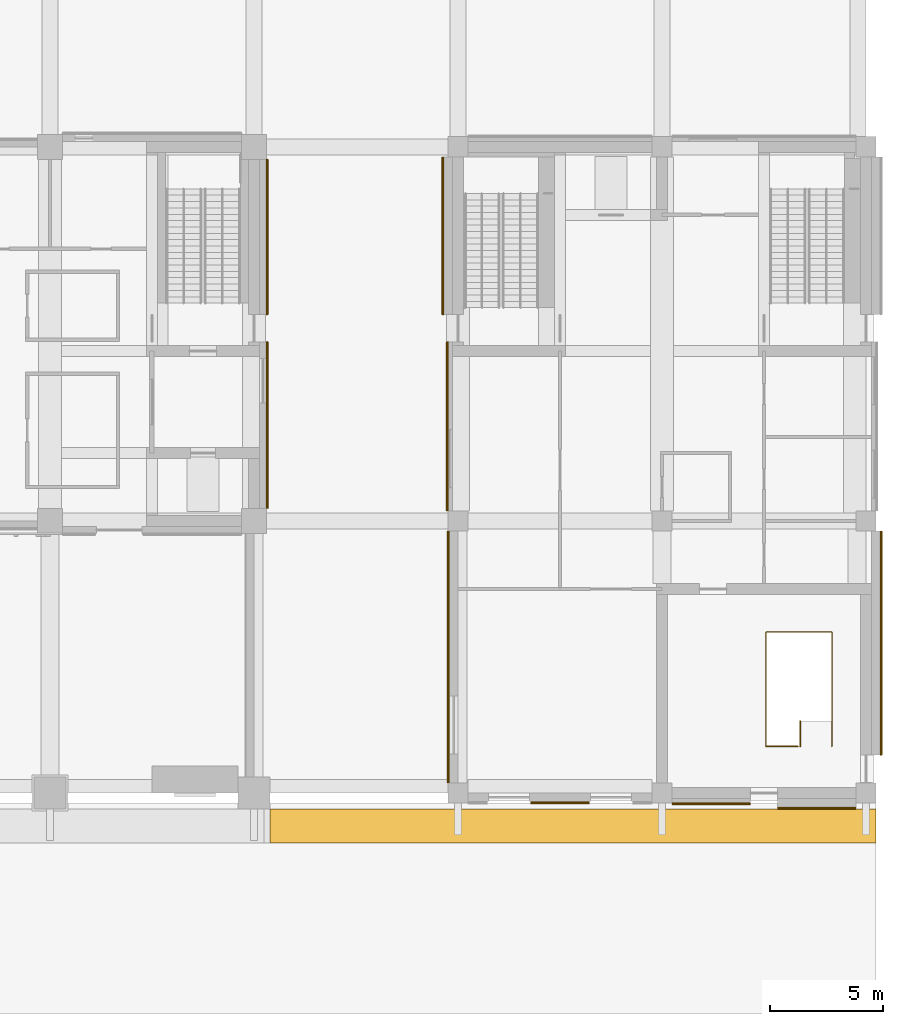
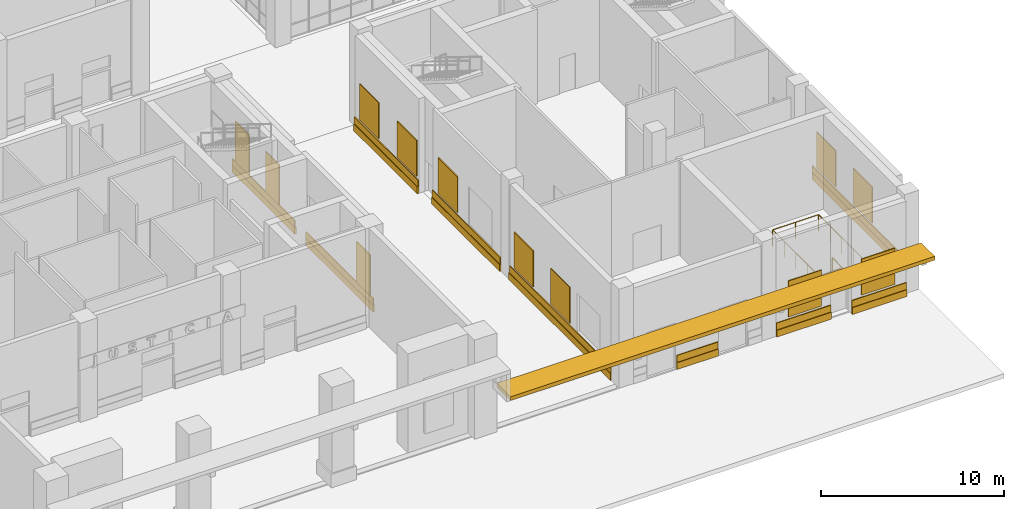
# One storey, part 26 of 35: 30 coverings, 3 railings, 1 shading device.
"""IFC4 building model written with IfcOpenShell, lengths in metres."""

from ifc_helpers import new_model, si_unit, direction, frame, origin, origin_2d, place, context, subcontext, project, spatial, polyline, rectangle, circle, outline, extrude, material, layer, layer_set, type_object, element, save


model = new_model("IFC4")

# Units and contexts
model_context = context("Model", 3, precision=1e-05, world=origin(), true_north=direction((0.0, 1.0)))
body_context = subcontext(model_context, "Body", "Model", "MODEL_VIEW")
ifc_project = project(units=[si_unit("LENGTHUNIT", "METRE"), si_unit("AREAUNIT", "SQUARE_METRE"), si_unit("VOLUMEUNIT", "CUBIC_METRE"), si_unit("PLANEANGLEUNIT", "RADIAN"), si_unit("MASSUNIT", "GRAM", prefix="KILO")], contexts=[model_context])

# Site, building, storey
site_placement = place(None, origin())
site = spatial("IfcSite", under=ifc_project, at=site_placement, CompositionType="ELEMENT")
building_placement = place(site_placement, origin())
building = spatial("IfcBuilding", under=site, at=building_placement, Name="Aurelan Courthouse", CompositionType="ELEMENT")
storey_placement = place(building_placement, origin())
storey = spatial("IfcBuildingStorey", under=building, at=storey_placement, Name="L00", CompositionType="ELEMENT", Elevation=0.0)

# Coverings
ifc_material_1 = material(Name="Bronze sheet cladding")
ifc_layer_1 = layer(ifc_material_1, 0.06005859375)
ifc_layer_set_1 = layer_set([ifc_layer_1], Name="Bronze sheet cladding")
covering_type_1 = type_object("IfcCoveringType", Name="Ceremonial Court blind bay 1500 x 2700", PredefinedType="CLADDING", material=ifc_layer_set_1)
for number, where, z_axis, x_axis, name in (
    (1, (63.580078125, 13.64990234375, 0.89990234375), (0.0, 0.0, 1.0), (1.0, 0.0, 0.0), "Blind bay BB-V1-L00-005"),
    (2, (63.580078125, 23.550048828125, 0.89990234375), (0.0, 0.0, 1.0), (1.0, 0.0, 0.0), "Blind bay BB-V1-L00-006"),
    (3, (63.580078125, 26.85009765625, 0.89990234375), (0.0, 0.0, 1.0), (1.0, 0.0, 0.0), "Blind bay BB-V1-L00-007"),
):
    element("IfcCovering", number, at=place(storey_placement, frame(where, z_axis=z_axis, x_axis=x_axis)), inside=storey, type_object=covering_type_1, Name=name, PredefinedType="CLADDING", context=body_context, shape_type="SweptSolid", body=[
        extrude(rectangle(XDim=0.06005859375, YDim=1.5, at=origin_2d()), origin(), (0.0, 0.0, 1.0), 2.699951171875),
    ])
ifc_material_2 = material(Name="Granite cladding", Category="masonry")
covering_type_2 = type_object("IfcCoveringType", Name="Ceremonial Court rusticated plinth course 450 x 100", PredefinedType="CLADDING", material=ifc_material_2)
covering_1_placement = place(storey_placement, frame((63.60009765625, 16.22509765625, 0.0), z_axis=(0.0, 0.0, 1.0), x_axis=(1.0, 0.0, 0.0)))
element("IfcCovering", 4, at=covering_1_placement, inside=storey, type_object=covering_type_2, Name="Plinth course PLC-V1-015", PredefinedType="CLADDING", context=body_context, shape_type="SweptSolid", body=[
    extrude(rectangle(XDim=0.10009765625, YDim=7.35009765625, at=origin_2d()), origin(), (0.0, 0.0, 1.0), 0.449951171875),
])
covering_2_placement = place(storey_placement, frame((63.580078125, 16.22509765625, 0.4501953125), z_axis=(0.0, 0.0, 1.0), x_axis=(1.0, 0.0, 0.0)))
element("IfcCovering", 5, at=covering_2_placement, inside=storey, type_object=covering_type_2, Name="Plinth course PLC-V1-016", PredefinedType="CLADDING", context=body_context, shape_type="SweptSolid", body=[
    extrude(rectangle(XDim=0.06005859375, YDim=7.35009765625, at=origin_2d()), origin(), (0.0, 0.0, 1.0), 0.449951171875),
])
covering_3_placement = place(storey_placement, frame((63.60009765625, 24.52490234375, 0.0), z_axis=(0.0, 0.0, 1.0), x_axis=(1.0, 0.0, 0.0)))
element("IfcCovering", 6, at=covering_3_placement, inside=storey, type_object=covering_type_2, Name="Plinth course PLC-V1-019", PredefinedType="CLADDING", context=body_context, shape_type="SweptSolid", body=[
    extrude(rectangle(XDim=0.10009765625, YDim=6.85009765625, at=origin_2d()), origin(), (0.0, 0.0, 1.0), 0.449951171875),
])
covering_4_placement = place(storey_placement, frame((63.580078125, 24.52490234375, 0.4501953125), z_axis=(0.0, 0.0, 1.0), x_axis=(1.0, 0.0, 0.0)))
element("IfcCovering", 7, at=covering_4_placement, inside=storey, type_object=covering_type_2, Name="Plinth course PLC-V1-020", PredefinedType="CLADDING", context=body_context, shape_type="SweptSolid", body=[
    extrude(rectangle(XDim=0.06005859375, YDim=6.85009765625, at=origin_2d()), origin(), (0.0, 0.0, 1.0), 0.449951171875),
])
ifc_layer_2 = layer(ifc_material_1, 0.06005859375)
ifc_layer_set_2 = layer_set([ifc_layer_2], Name="Bronze sheet cladding")
covering_type_3 = type_object("IfcCoveringType", Name="Public Hall and Registry blind bay 2100 x 2400", PredefinedType="CLADDING", material=ifc_layer_set_2)
for number, where, z_axis, x_axis, name in (
    (8, (83.25, -0.4599609375, 1.050048828125), (0.0, 0.0, 1.0), (1.0, 0.0, 0.0), "Blind bay BB-V4-L00-001"),
    (9, (87.75, -0.659912109375, 1.050048828125), (0.0, 0.0, 1.0), (1.0, 0.0, 0.0), "Blind bay BB-V4-L00-002"),
):
    element("IfcCovering", number, at=place(storey_placement, frame(where, z_axis=z_axis, x_axis=x_axis)), inside=storey, type_object=covering_type_3, Name=name, PredefinedType="CLADDING", context=body_context, shape_type="SweptSolid", body=[
        extrude(rectangle(XDim=2.10009765625, YDim=0.06005859375, at=origin_2d()), origin(), (0.0, 0.0, 1.0), 2.39990234375),
    ])
for number, where, z_axis, x_axis, name in (
    (10, (90.659912109375, 6.0, 1.050048828125), (0.0, 0.0, 1.0), (1.0, 0.0, 0.0), "Blind bay BB-V4-L00-006"),
    (11, (90.659912109375, 10.0, 1.050048828125), (0.0, 0.0, 1.0), (1.0, 0.0, 0.0), "Blind bay BB-V4-L00-007"),
    (12, (71.590087890625, 6.0, 1.050048828125), (0.0, 0.0, 1.0), (1.0, 0.0, 0.0), "Blind bay BB-V4-L00-010"),
    (13, (71.590087890625, 10.0, 1.050048828125), (0.0, 0.0, 1.0), (1.0, 0.0, 0.0), "Blind bay BB-V4-L00-011"),
    (14, (71.5400390625, 18.1875, 1.050048828125), (0.0, 0.0, 1.0), (1.0, 0.0, 0.0), "Blind bay BB-V4-L00-012"),
    (15, (71.340087890625, 22.3125, 1.050048828125), (0.0, 0.0, 1.0), (1.0, 0.0, 0.0), "Blind bay BB-V4-L00-013"),
    (16, (71.340087890625, 26.4375, 1.050048828125), (0.0, 0.0, 1.0), (1.0, 0.0, 0.0), "Blind bay BB-V4-L00-014"),
):
    element("IfcCovering", number, at=place(storey_placement, frame(where, z_axis=z_axis, x_axis=x_axis)), inside=storey, type_object=covering_type_3, Name=name, PredefinedType="CLADDING", context=body_context, shape_type="SweptSolid", body=[
        extrude(rectangle(XDim=0.06005859375, YDim=2.10009765625, at=origin_2d()), origin(), (0.0, 0.0, 1.0), 2.39990234375),
    ])
covering_type_4 = type_object("IfcCoveringType", Name="Public Hall and Registry rusticated plinth course 450 x 100", PredefinedType="CLADDING", material=ifc_material_2)
covering_5_placement = place(storey_placement, frame((87.824951171875, -0.679931640625, 0.0), z_axis=(0.0, 0.0, 1.0), x_axis=(1.0, 0.0, 0.0)))
element("IfcCovering", 17, at=covering_5_placement, inside=storey, type_object=covering_type_4, Name="Plinth course PLC-V4-001", PredefinedType="CLADDING", context=body_context, shape_type="SweptSolid", body=[
    extrude(rectangle(XDim=3.449951171875, YDim=0.10009765625, at=origin_2d()), origin(), (0.0, 0.0, 1.0), 0.449951171875),
])
covering_6_placement = place(storey_placement, frame((87.824951171875, -0.659912109375, 0.4501953125), z_axis=(0.0, 0.0, 1.0), x_axis=(1.0, 0.0, 0.0)))
element("IfcCovering", 18, at=covering_6_placement, inside=storey, type_object=covering_type_4, Name="Plinth course PLC-V4-002", PredefinedType="CLADDING", context=body_context, shape_type="SweptSolid", body=[
    extrude(rectangle(XDim=3.449951171875, YDim=0.06005859375, at=origin_2d()), origin(), (0.0, 0.0, 1.0), 0.449951171875),
])
covering_7_placement = place(storey_placement, frame((83.175048828125, -0.47998046875, 0.0), z_axis=(0.0, 0.0, 1.0), x_axis=(1.0, 0.0, 0.0)))
element("IfcCovering", 19, at=covering_7_placement, inside=storey, type_object=covering_type_4, Name="Plinth course PLC-V4-003", PredefinedType="CLADDING", context=body_context, shape_type="SweptSolid", body=[
    extrude(rectangle(XDim=3.449951171875, YDim=0.10009765625, at=origin_2d()), origin(), (0.0, 0.0, 1.0), 0.449951171875),
])
covering_8_placement = place(storey_placement, frame((83.175048828125, -0.4599609375, 0.4501953125), z_axis=(0.0, 0.0, 1.0), x_axis=(1.0, 0.0, 0.0)))
element("IfcCovering", 20, at=covering_8_placement, inside=storey, type_object=covering_type_4, Name="Plinth course PLC-V4-004", PredefinedType="CLADDING", context=body_context, shape_type="SweptSolid", body=[
    extrude(rectangle(XDim=3.449951171875, YDim=0.06005859375, at=origin_2d()), origin(), (0.0, 0.0, 1.0), 0.449951171875),
])
covering_9_placement = place(storey_placement, frame((76.5, -0.429931640625, 0.0), z_axis=(0.0, 0.0, 1.0), x_axis=(1.0, 0.0, 0.0)))
element("IfcCovering", 21, at=covering_9_placement, inside=storey, type_object=covering_type_4, Name="Plinth course PLC-V4-006", PredefinedType="CLADDING", context=body_context, shape_type="SweptSolid", body=[
    extrude(rectangle(XDim=2.60009765625, YDim=0.10009765625, at=origin_2d()), origin(), (0.0, 0.0, 1.0), 0.449951171875),
])
covering_10_placement = place(storey_placement, frame((76.5, -0.409912109375, 0.4501953125), z_axis=(0.0, 0.0, 1.0), x_axis=(1.0, 0.0, 0.0)))
element("IfcCovering", 22, at=covering_10_placement, inside=storey, type_object=covering_type_4, Name="Plinth course PLC-V4-009", PredefinedType="CLADDING", context=body_context, shape_type="SweptSolid", body=[
    extrude(rectangle(XDim=2.60009765625, YDim=0.06005859375, at=origin_2d()), origin(), (0.0, 0.0, 1.0), 0.449951171875),
])
covering_11_placement = place(storey_placement, frame((71.570068359375, 6.0, 0.0), z_axis=(0.0, 0.0, 1.0), x_axis=(1.0, 0.0, 0.0)))
element("IfcCovering", 23, at=covering_11_placement, inside=storey, type_object=covering_type_4, Name="Plinth course PLC-V4-011", PredefinedType="CLADDING", context=body_context, shape_type="SweptSolid", body=[
    extrude(rectangle(XDim=0.10009765625, YDim=11.10009765625, at=origin_2d()), origin(), (0.0, 0.0, 1.0), 0.449951171875),
])
covering_12_placement = place(storey_placement, frame((71.590087890625, 6.0, 0.4501953125), z_axis=(0.0, 0.0, 1.0), x_axis=(1.0, 0.0, 0.0)))
element("IfcCovering", 24, at=covering_12_placement, inside=storey, type_object=covering_type_4, Name="Plinth course PLC-V4-012", PredefinedType="CLADDING", context=body_context, shape_type="SweptSolid", body=[
    extrude(rectangle(XDim=0.06005859375, YDim=11.10009765625, at=origin_2d()), origin(), (0.0, 0.0, 1.0), 0.449951171875),
])
covering_13_placement = place(storey_placement, frame((90.679931640625, 6.610107421875, 0.0), z_axis=(0.0, 0.0, 1.0), x_axis=(1.0, 0.0, 0.0)))
element("IfcCovering", 25, at=covering_13_placement, inside=storey, type_object=covering_type_4, Name="Plinth course PLC-V4-013", PredefinedType="CLADDING", context=body_context, shape_type="SweptSolid", body=[
    extrude(rectangle(XDim=0.10009765625, YDim=9.8798828125, at=origin_2d()), origin(), (0.0, 0.0, 1.0), 0.449951171875),
])
covering_14_placement = place(storey_placement, frame((90.659912109375, 6.610107421875, 0.4501953125), z_axis=(0.0, 0.0, 1.0), x_axis=(1.0, 0.0, 0.0)))
element("IfcCovering", 26, at=covering_14_placement, inside=storey, type_object=covering_type_4, Name="Plinth course PLC-V4-014", PredefinedType="CLADDING", context=body_context, shape_type="SweptSolid", body=[
    extrude(rectangle(XDim=0.06005859375, YDim=9.8798828125, at=origin_2d()), origin(), (0.0, 0.0, 1.0), 0.449951171875),
])
covering_15_placement = place(storey_placement, frame((71.52001953125, 16.175048828125, 0.0), z_axis=(0.0, 0.0, 1.0), x_axis=(1.0, 0.0, 0.0)))
element("IfcCovering", 27, at=covering_15_placement, inside=storey, type_object=covering_type_4, Name="Plinth course PLC-V4-015", PredefinedType="CLADDING", context=body_context, shape_type="SweptSolid", body=[
    extrude(rectangle(XDim=0.10009765625, YDim=7.449951171875, at=origin_2d()), origin(), (0.0, 0.0, 1.0), 0.449951171875),
])
covering_16_placement = place(storey_placement, frame((71.5400390625, 16.175048828125, 0.4501953125), z_axis=(0.0, 0.0, 1.0), x_axis=(1.0, 0.0, 0.0)))
element("IfcCovering", 28, at=covering_16_placement, inside=storey, type_object=covering_type_4, Name="Plinth course PLC-V4-016", PredefinedType="CLADDING", context=body_context, shape_type="SweptSolid", body=[
    extrude(rectangle(XDim=0.06005859375, YDim=7.449951171875, at=origin_2d()), origin(), (0.0, 0.0, 1.0), 0.449951171875),
])
covering_17_placement = place(storey_placement, frame((71.320068359375, 24.574951171875, 0.0), z_axis=(0.0, 0.0, 1.0), x_axis=(1.0, 0.0, 0.0)))
element("IfcCovering", 29, at=covering_17_placement, inside=storey, type_object=covering_type_4, Name="Plinth course PLC-V4-019", PredefinedType="CLADDING", context=body_context, shape_type="SweptSolid", body=[
    extrude(rectangle(XDim=0.10009765625, YDim=6.949951171875, at=origin_2d()), origin(), (0.0, 0.0, 1.0), 0.449951171875),
])
covering_18_placement = place(storey_placement, frame((71.340087890625, 24.574951171875, 0.4501953125), z_axis=(0.0, 0.0, 1.0), x_axis=(1.0, 0.0, 0.0)))
element("IfcCovering", 30, at=covering_18_placement, inside=storey, type_object=covering_type_4, Name="Plinth course PLC-V4-020", PredefinedType="CLADDING", context=body_context, shape_type="SweptSolid", body=[
    extrude(rectangle(XDim=0.06005859375, YDim=6.949951171875, at=origin_2d()), origin(), (0.0, 0.0, 1.0), 0.449951171875),
])

# Railings
ifc_material_3 = material(Name="Steel S355", Category="steel")
railing_type = type_object("IfcRailingType", Name="Stair guard 1100", PredefinedType="GUARDRAIL", material=ifc_material_3)
railing_1_placement = place(storey_placement, frame((86.989990234375, 2.054931640625, 0.0)))
element("IfcRailing", 31, at=railing_1_placement, inside=storey, type_object=railing_type, Name="Guard BS-2-L00-G1", PredefinedType="GUARDRAIL", context=body_context, shape_type="SweptSolid", body=[
    extrude(circle(Radius=0.02392578125, at=origin_2d()), frame((0.0, 0.0, 1.076171875), z_axis=(-1.0, 0.0, 0.0), x_axis=(0.0, -1.0, 0.0)), (0.0, 0.0, 1.0), 1.39990234375),
    extrude(circle(Radius=0.02099609375, at=origin_2d()), origin(), (0.0, 0.0, 1.0), 1.052001953125),
    extrude(circle(Radius=0.02099609375, at=origin_2d()), frame((-1.39990234375, 0.0, 0.0)), (0.0, 0.0, 1.0), 1.052001953125),
])
railing_2_placement = place(storey_placement, frame((85.590087890625, 2.054931640625, 0.0)))
element("IfcRailing", 32, at=railing_2_placement, inside=storey, type_object=railing_type, Name="Guard BS-2-L00-G2", PredefinedType="GUARDRAIL", context=body_context, shape_type="SweptSolid", body=[
    extrude(circle(Radius=0.02392578125, at=origin_2d()), frame((0.0, 0.0, 1.076171875), z_axis=(0.0, 1.0, 0.0), x_axis=(-1.0, 0.0, 0.0)), (0.0, 0.0, 1.0), 5.0400390625),
    extrude(circle(Radius=0.02392578125, at=origin_2d()), frame((0.0, 5.0400390625, 1.076171875), z_axis=(1.0, 0.0, 0.0), x_axis=(0.0, 1.0, 0.0)), (0.0, 0.0, 1.0), 2.89990234375),
    extrude(circle(Radius=0.02392578125, at=origin_2d()), frame((2.89990234375, 5.0400390625, 1.076171875), z_axis=(0.0, -1.0, 0.0), x_axis=(1.0, 0.0, 0.0)), (0.0, 0.0, 1.0), 5.0400390625),
    extrude(circle(Radius=0.02099609375, at=origin_2d()), origin(), (0.0, 0.0, 1.0), 1.052001953125),
    extrude(circle(Radius=0.02099609375, at=origin_2d()), frame((0.0, 1.260009765625, 0.0)), (0.0, 0.0, 1.0), 1.052001953125),
    extrude(circle(Radius=0.02099609375, at=origin_2d()), frame((0.0, 2.52001953125, 0.0)), (0.0, 0.0, 1.0), 1.052001953125),
    extrude(circle(Radius=0.02099609375, at=origin_2d()), frame((0.0, 3.780029296875, 0.0)), (0.0, 0.0, 1.0), 1.052001953125),
    extrude(circle(Radius=0.02099609375, at=origin_2d()), frame((0.0, 5.0400390625, 0.0)), (0.0, 0.0, 1.0), 1.052001953125),
    extrude(circle(Radius=0.02099609375, at=origin_2d()), frame((1.449951171875, 5.0400390625, 0.0)), (0.0, 0.0, 1.0), 1.052001953125),
    extrude(circle(Radius=0.02099609375, at=origin_2d()), frame((2.89990234375, 5.0400390625, 0.0)), (0.0, 0.0, 1.0), 1.052001953125),
    extrude(circle(Radius=0.02099609375, at=origin_2d()), frame((2.89990234375, 3.780029296875, 0.0)), (0.0, 0.0, 1.0), 1.052001953125),
    extrude(circle(Radius=0.02099609375, at=origin_2d()), frame((2.89990234375, 2.52001953125, 0.0)), (0.0, 0.0, 1.0), 1.052001953125),
    extrude(circle(Radius=0.02099609375, at=origin_2d()), frame((2.89990234375, 1.260009765625, 0.0)), (0.0, 0.0, 1.0), 1.052001953125),
    extrude(circle(Radius=0.02099609375, at=origin_2d()), frame((2.89990234375, 0.0, 0.0)), (0.0, 0.0, 1.0), 1.052001953125),
])
railing_3_placement = place(storey_placement, frame((87.090087890625, 2.054931640625, 0.0)))
element("IfcRailing", 33, at=railing_3_placement, inside=storey, type_object=railing_type, Name="Guard BS-2-L00-G3", PredefinedType="GUARDRAIL", context=body_context, shape_type="SweptSolid", body=[
    extrude(circle(Radius=0.02392578125, at=origin_2d()), frame((0.0, 0.0, 1.076171875), z_axis=(0.0, 1.0, 0.0), x_axis=(-1.0, 0.0, 0.0)), (0.0, 0.0, 1.0), 1.1201171875),
    extrude(circle(Radius=0.02099609375, at=origin_2d()), origin(), (0.0, 0.0, 1.0), 1.052001953125),
    extrude(circle(Radius=0.02099609375, at=origin_2d()), frame((0.0, 1.1201171875, 0.0)), (0.0, 0.0, 1.0), 1.052001953125),
])

# Shading device
ifc_material_4 = material(Name="Concrete C40", Category="concrete")
ifc_layer_3 = layer(ifc_material_4, 0.24609375, Name="Structure")
ifc_material_5 = material(Name="Bronze sheet cladding", Category="bronze")
ifc_layer_4 = layer(ifc_material_5, 0.00390625, Name="Cladding")
ifc_layer_set_3 = layer_set([ifc_layer_3, ifc_layer_4], Name="Concrete C40")
shading_device_type = type_object("IfcShadingDeviceType", Name="Street canopy 250", PredefinedType="AWNING", material=ifc_layer_set_3)
shading_device_placement = place(storey_placement, frame((0.0, 0.0, 3.0)))
element("IfcShadingDevice", 34, at=shading_device_placement, inside=storey, type_object=shading_device_type, Name="Street canopy AW-S03", PredefinedType="AWNING", context=body_context, shape_type="SweptSolid", body=[
    extrude(outline(polyline([(63.699951171875, -0.699951171875), (90.449951171875, -0.699951171875), (90.449951171875, -2.199951171875), (63.699951171875, -2.199951171875), (63.699951171875, -0.699951171875)])), origin(), (0.0, 0.0, 1.0), 0.25),
])

save(model, "model.ifc")
